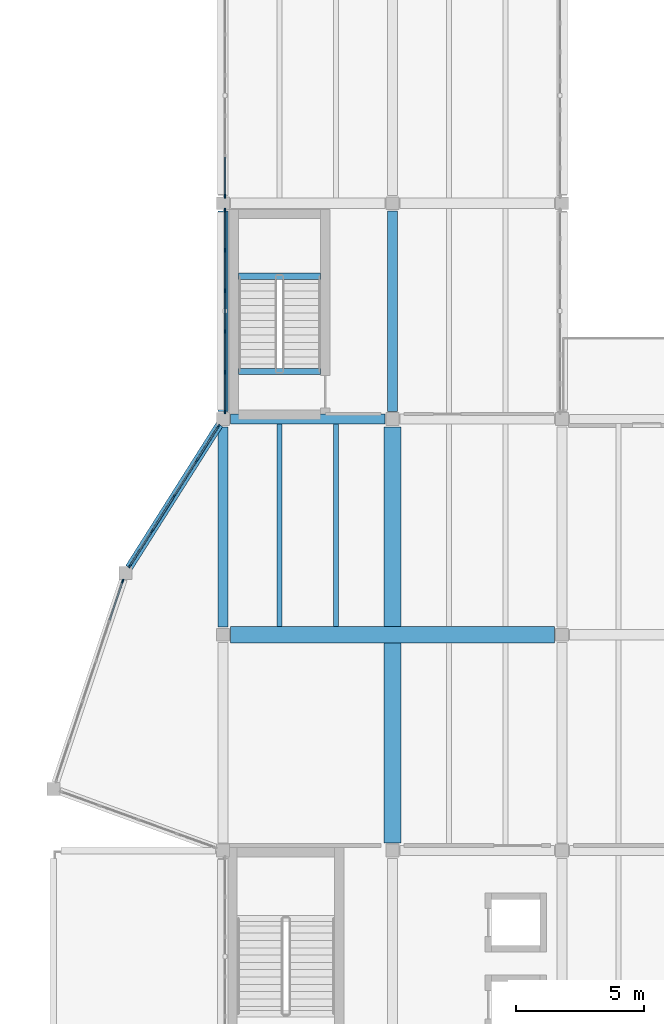
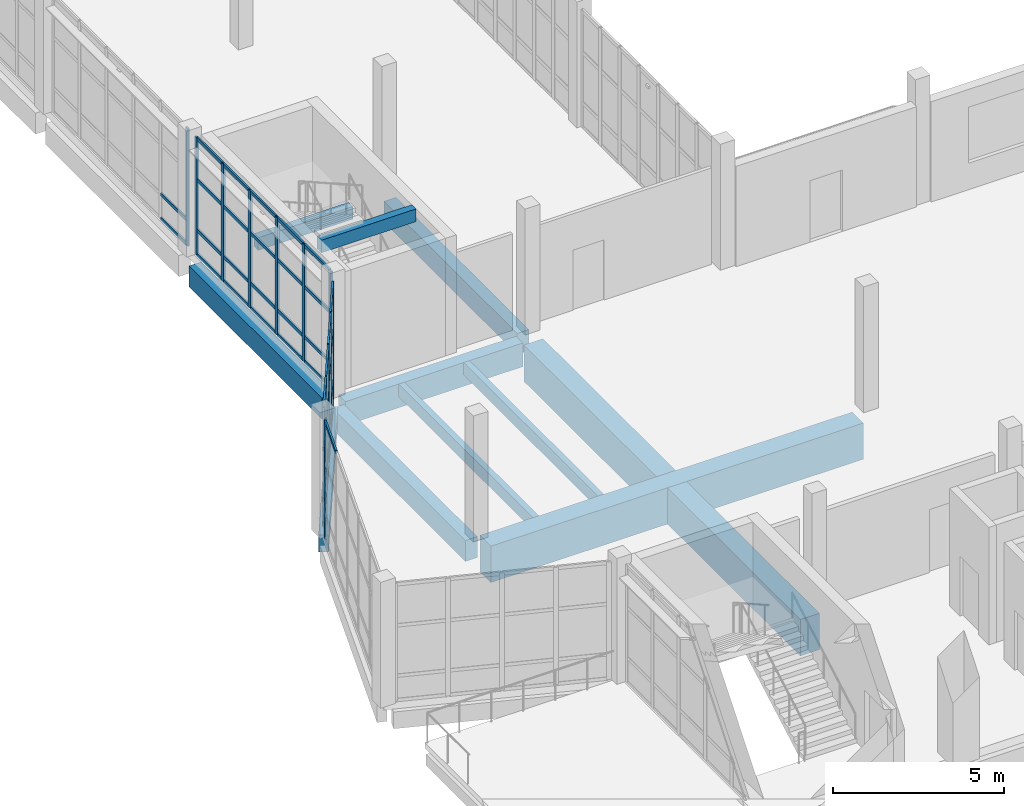
# One storey, part 26 of 83: 52 members, 11 beams, 4 elements without a shape of their own.
"""IFC4 building model written with IfcOpenShell, lengths in metres."""

from ifc_helpers import new_model, si_unit, direction, frame, origin, origin_2d, place, context, subcontext, project, spatial, rectangle, extrude, material, material_profile, profile_set, type_object, element, aggregate, save


model = new_model("IFC4")

# Units and contexts
model_context = context("Model", 3, precision=1e-05, world=origin(), true_north=direction((0.0, 1.0)))
body_context = subcontext(model_context, "Body", "Model", "MODEL_VIEW")
ifc_project = project(units=[si_unit("LENGTHUNIT", "METRE"), si_unit("AREAUNIT", "SQUARE_METRE"), si_unit("VOLUMEUNIT", "CUBIC_METRE"), si_unit("PLANEANGLEUNIT", "RADIAN"), si_unit("MASSUNIT", "GRAM", prefix="KILO")], contexts=[model_context])

# Site, building, storey
site_placement = place(None, origin())
site = spatial("IfcSite", under=ifc_project, at=site_placement, CompositionType="ELEMENT")
building_placement = place(site_placement, origin())
building = spatial("IfcBuilding", under=site, at=building_placement, Name="Qaldarim Faculty of Natural and Applied Sciences", CompositionType="ELEMENT")
storey_placement = place(building_placement, frame((0.0, 0.0, 5.39990234375)))
storey = spatial("IfcBuildingStorey", under=building, at=storey_placement, Name="L01", CompositionType="ELEMENT", Elevation=5.39990234375)

# Beams
ifc_material_1 = material(Name="Concrete C50/60", Category="concrete")
ifc_material_profile_1 = material_profile(ifc_material_1, rectangle(XDim=0.39990234375, YDim=0.75, at=origin_2d()), Name="RC-B400x750")
ifc_profile_set_1 = profile_set([ifc_material_profile_1], Name="Concrete C50/60")
beam_type_1 = type_object("IfcBeamType", Name="LabGirder-RC400x750", PredefinedType="BEAM", material=ifc_profile_set_1)
for number, where, z_axis, x_axis, name in (
    (1, (151.800048828125, 75.89990234375, -0.6748046875), (0.0, 1.0, 0.0), (-1.0, 0.0, 0.0), "Beam RC-B400x750 L00 X24/Y10-Y11"),
    (2, (151.800048828125, 84.300048828125, -0.6748046875), (0.0, 1.0, 0.0), (-1.0, 0.0, 0.0), "Beam RC-B400x750 L00 X24/Y11-Y12"),
    (3, (158.39990234375, 84.300048828125, -0.6748046875), (0.0, 1.0, 0.0), (-1.0, 0.0, 0.0), "Beam RC-B400x750 L00 X25/Y11-Y12"),
):
    element("IfcBeam", number, at=place(storey_placement, frame(where, z_axis=z_axis, x_axis=x_axis)), inside=storey, type_object=beam_type_1, Name=name, PredefinedType="BEAM", context=body_context, shape_type="SweptSolid", body=[
        extrude(rectangle(XDim=0.39990234375, YDim=0.75, at=origin_2d()), origin(), (0.0, 0.0, 1.0), 7.800048828125),
    ])
ifc_material_2 = material(Name="Concrete C40/50", Category="concrete")
ifc_material_profile_2 = material_profile(ifc_material_2, rectangle(XDim=0.199951171875, YDim=0.449951171875, at=origin_2d()), Name="RC-J200x450")
ifc_profile_set_2 = profile_set([ifc_material_profile_2], Name="Concrete C40/50")
beam_type_2 = type_object("IfcBeamType", Name="LabJoist-RC200x450", PredefinedType="JOIST", material=ifc_profile_set_2)
for number, where, z_axis, x_axis, name in (
    (4, (154.0, 75.925048828125, -0.52490234375), (0.0, 1.0, 0.0), (-1.0, 0.0, 0.0), "Laboratory joist L00 bay X24Y10-1"),
    (5, (156.199951171875, 75.925048828125, -0.52490234375), (0.0, 1.0, 0.0), (-1.0, 0.0, 0.0), "Laboratory joist L00 bay X24Y10-2"),
):
    element("IfcBeam", number, at=place(storey_placement, frame(where, z_axis=z_axis, x_axis=x_axis)), inside=storey, type_object=beam_type_2, Name=name, PredefinedType="JOIST", context=body_context, shape_type="SweptSolid", body=[
        extrude(rectangle(XDim=0.199951171875, YDim=0.449951171875, at=origin_2d()), origin(), (0.0, 0.0, 1.0), 7.875),
    ])
ifc_material_profile_3 = material_profile(ifc_material_2, rectangle(XDim=0.25, YDim=0.449951171875, at=origin_2d()), Name="RC-LN250x450")
ifc_profile_set_3 = profile_set([ifc_material_profile_3], Name="Concrete C40/50")
beam_type_3 = type_object("IfcBeamType", Name="LandingSupportBeam-RC250x450", PredefinedType="BEAM", material=ifc_profile_set_3)
for number, where, z_axis, x_axis, name in (
    (6, (152.39990234375, 89.554931640625, 1.815185546875), (1.0, 0.0, 0.0), (0.0, 1.0, 0.0), "Stair landing support beam ST-C2 L01"),
    (7, (152.39990234375, 85.85009765625, 3.97509765625), (1.0, 0.0, 0.0), (0.0, 1.0, 0.0), "Stair arrival support beam ST-C2 L01"),
):
    element("IfcBeam", number, at=place(storey_placement, frame(where, z_axis=z_axis, x_axis=x_axis)), inside=storey, type_object=beam_type_3, Name=name, PredefinedType="BEAM", context=body_context, shape_type="SweptSolid", body=[
        extrude(rectangle(XDim=0.25, YDim=0.449951171875, at=origin_2d()), origin(), (0.0, 0.0, 1.0), 3.2001953125),
    ])

# Curtain wall, members
ifc_material_3 = material(Name="Anodised aluminium AW-6063", Category="aluminium")
curtain_wall_type = type_object("IfcCurtainWallType", Name="CurtainWallSystem-M1600", PredefinedType="USERDEFINED", material=ifc_material_3)
curtain_wall_1_placement = place(storey_placement, origin())
curtain_wall_1 = element("IfcCurtainWall", 8, at=curtain_wall_1_placement, inside=storey, type_object=curtain_wall_type, Name="Curtain wall CW-L01-W-X24Y11", ObjectType="UNITISED FACADE", PredefinedType="USERDEFINED")
ifc_material_profile_4 = material_profile(ifc_material_3, rectangle(XDim=0.06005859375, YDim=0.14990234375, at=origin_2d()), Name="ALU-M60x150")
ifc_profile_set_4 = profile_set([ifc_material_profile_4], Name="Anodised aluminium AW-6063")
member_type_1 = type_object("IfcMemberType", Name="Mullion-ALU60x150", PredefinedType="MULLION", material=ifc_profile_set_4)
member_1_placement = place(storey_placement, frame((151.8798828125, 92.125, 0.0), z_axis=(0.0, 0.0, 1.0), x_axis=(1.0, 0.0, 0.0)))
member_1 = element("IfcMember", 9, at=member_1_placement, type_object=member_type_1, Name="Mullion 1 of CW-L01-W-X24Y11", PredefinedType="MULLION", context=body_context, shape_type="SweptSolid", body=[
    extrude(rectangle(XDim=0.06005859375, YDim=0.14990234375, at=origin_2d()), origin(), (0.0, 0.0, 1.0), 4.2001953125),
])
member_2_placement = place(storey_placement, frame((151.8798828125, 90.572998046875, 0.0), z_axis=(0.0, 0.0, 1.0), x_axis=(1.0, 0.0, 0.0)))
member_2 = element("IfcMember", 10, at=member_2_placement, type_object=member_type_1, Name="Mullion 2 of CW-L01-W-X24Y11", PredefinedType="MULLION", context=body_context, shape_type="SweptSolid", body=[
    extrude(rectangle(XDim=0.06005859375, YDim=0.14990234375, at=origin_2d()), origin(), (0.0, 0.0, 1.0), 4.2001953125),
])
member_3_placement = place(storey_placement, frame((151.8798828125, 88.990966796875, 0.0), z_axis=(0.0, 0.0, 1.0), x_axis=(1.0, 0.0, 0.0)))
member_3 = element("IfcMember", 11, at=member_3_placement, type_object=member_type_1, Name="Mullion 3 of CW-L01-W-X24Y11", PredefinedType="MULLION", context=body_context, shape_type="SweptSolid", body=[
    extrude(rectangle(XDim=0.06005859375, YDim=0.14990234375, at=origin_2d()), origin(), (0.0, 0.0, 1.0), 4.2001953125),
])
member_4_placement = place(storey_placement, frame((151.8798828125, 87.408935546875, 0.0), z_axis=(0.0, 0.0, 1.0), x_axis=(1.0, 0.0, 0.0)))
member_4 = element("IfcMember", 12, at=member_4_placement, type_object=member_type_1, Name="Mullion 4 of CW-L01-W-X24Y11", PredefinedType="MULLION", context=body_context, shape_type="SweptSolid", body=[
    extrude(rectangle(XDim=0.06005859375, YDim=0.14990234375, at=origin_2d()), origin(), (0.0, 0.0, 1.0), 4.2001953125),
])
member_5_placement = place(storey_placement, frame((151.8798828125, 85.826904296875, 0.0), z_axis=(0.0, 0.0, 1.0), x_axis=(1.0, 0.0, 0.0)))
member_5 = element("IfcMember", 13, at=member_5_placement, type_object=member_type_1, Name="Mullion 5 of CW-L01-W-X24Y11", PredefinedType="MULLION", context=body_context, shape_type="SweptSolid", body=[
    extrude(rectangle(XDim=0.06005859375, YDim=0.14990234375, at=origin_2d()), origin(), (0.0, 0.0, 1.0), 4.2001953125),
])
member_6_placement = place(storey_placement, frame((151.8798828125, 84.27490234375, 0.0), z_axis=(0.0, 0.0, 1.0), x_axis=(1.0, 0.0, 0.0)))
member_6 = element("IfcMember", 14, at=member_6_placement, type_object=member_type_1, Name="Mullion 6 of CW-L01-W-X24Y11", PredefinedType="MULLION", context=body_context, shape_type="SweptSolid", body=[
    extrude(rectangle(XDim=0.06005859375, YDim=0.14990234375, at=origin_2d()), origin(), (0.0, 0.0, 1.0), 4.2001953125),
])

# Curtain wall, member
curtain_wall_2_placement = place(storey_placement, origin())
curtain_wall_2 = element("IfcCurtainWall", 15, at=curtain_wall_2_placement, inside=storey, type_object=curtain_wall_type, Name="Curtain wall CW-L01-W-X24Y12", ObjectType="UNITISED FACADE", PredefinedType="USERDEFINED")
member_7_placement = place(storey_placement, frame((151.8798828125, 92.675048828125, 0.0), z_axis=(0.0, 0.0, 1.0), x_axis=(1.0, 0.0, 0.0)))
member_7 = element("IfcMember", 16, at=member_7_placement, type_object=member_type_1, Name="Mullion 6 of CW-L01-W-X24Y12", PredefinedType="MULLION", context=body_context, shape_type="SweptSolid", body=[
    extrude(rectangle(XDim=0.06005859375, YDim=0.14990234375, at=origin_2d()), origin(), (0.0, 0.0, 1.0), 4.2001953125),
])

# Curtain wall, members
curtain_wall_3_placement = place(storey_placement, origin())
curtain_wall_3 = element("IfcCurtainWall", 17, at=curtain_wall_3_placement, inside=storey, type_object=curtain_wall_type, Name="Curtain wall CW-PROW-L01-1", ObjectType="UNITISED FACADE", PredefinedType="USERDEFINED")
member_8_placement = place(storey_placement, frame((151.623779296875, 83.7197265625, 0.0), z_axis=(0.0, 0.0, 1.0), x_axis=(0.844608368004, -0.535384632481, 0.0)))
member_8 = element("IfcMember", 18, at=member_8_placement, type_object=member_type_1, Name="Mullion 1 of CW-PROW-L01-1", PredefinedType="MULLION", context=body_context, shape_type="SweptSolid", body=[
    extrude(rectangle(XDim=0.06005859375, YDim=0.14990234375, at=origin_2d()), origin(), (0.0, 0.0, 1.0), 4.2001953125),
])
member_9_placement = place(storey_placement, frame((150.77001953125, 82.37255859375, 0.0), z_axis=(0.0, 0.0, 1.0), x_axis=(0.844608368004, -0.535384632481, 0.0)))
member_9 = element("IfcMember", 19, at=member_9_placement, type_object=member_type_1, Name="Mullion 2 of CW-PROW-L01-1", PredefinedType="MULLION", context=body_context, shape_type="SweptSolid", body=[
    extrude(rectangle(XDim=0.06005859375, YDim=0.14990234375, at=origin_2d()), origin(), (0.0, 0.0, 1.0), 4.2001953125),
])
member_10_placement = place(storey_placement, frame((149.89990234375, 81.0, 0.0), z_axis=(0.0, 0.0, 1.0), x_axis=(0.844608368004, -0.535384632481, 0.0)))
member_10 = element("IfcMember", 20, at=member_10_placement, type_object=member_type_1, Name="Mullion 3 of CW-PROW-L01-1", PredefinedType="MULLION", context=body_context, shape_type="SweptSolid", body=[
    extrude(rectangle(XDim=0.06005859375, YDim=0.14990234375, at=origin_2d()), origin(), (0.0, 0.0, 1.0), 4.2001953125),
])
member_11_placement = place(storey_placement, frame((149.030029296875, 79.62744140625, 0.0), z_axis=(0.0, 0.0, 1.0), x_axis=(0.844608368004, -0.535384632481, 0.0)))
member_11 = element("IfcMember", 21, at=member_11_placement, type_object=member_type_1, Name="Mullion 4 of CW-PROW-L01-1", PredefinedType="MULLION", context=body_context, shape_type="SweptSolid", body=[
    extrude(rectangle(XDim=0.06005859375, YDim=0.14990234375, at=origin_2d()), origin(), (0.0, 0.0, 1.0), 4.2001953125),
])
member_12_placement = place(storey_placement, frame((148.176025390625, 78.2802734375, 0.0), z_axis=(0.0, 0.0, 1.0), x_axis=(0.844608368004, -0.535384632481, 0.0)))
member_12 = element("IfcMember", 22, at=member_12_placement, type_object=member_type_1, Name="Mullion 5 of CW-PROW-L01-1", PredefinedType="MULLION", context=body_context, shape_type="SweptSolid", body=[
    extrude(rectangle(XDim=0.06005859375, YDim=0.14990234375, at=origin_2d()), origin(), (0.0, 0.0, 1.0), 4.2001953125),
])

# Curtain wall, member
curtain_wall_4_placement = place(storey_placement, origin())
curtain_wall_4 = element("IfcCurtainWall", 23, at=curtain_wall_4_placement, inside=storey, type_object=curtain_wall_type, Name="Curtain wall CW-PROW-L01-2", ObjectType="UNITISED FACADE", PredefinedType="USERDEFINED")
member_13_placement = place(storey_placement, frame((147.8955078125, 77.6865234375, 0.0), z_axis=(0.0, 0.0, 1.0), x_axis=(0.948683015593, -0.316228613389, 0.0)))
member_13 = element("IfcMember", 24, at=member_13_placement, type_object=member_type_1, Name="Mullion 1 of CW-PROW-L01-2", PredefinedType="MULLION", context=body_context, shape_type="SweptSolid", body=[
    extrude(rectangle(XDim=0.06005859375, YDim=0.14990234375, at=origin_2d()), origin(), (0.0, 0.0, 1.0), 4.2001953125),
])

# Beams
ifc_material_profile_5 = material_profile(ifc_material_1, rectangle(XDim=0.39990234375, YDim=0.85009765625, at=origin_2d()), Name="RC-B400x850")
ifc_profile_set_5 = profile_set([ifc_material_profile_5], Name="Concrete C50/60")
beam_type_4 = type_object("IfcBeamType", Name="PodiumGirder-RC400x850", PredefinedType="BEAM", material=ifc_profile_set_5)
beam_1_placement = place(storey_placement, frame((152.10009765625, 84.0, -0.724853515625), z_axis=(1.0, 0.0, 0.0), x_axis=(0.0, 1.0, 0.0)))
element("IfcBeam", 25, at=beam_1_placement, inside=storey, type_object=beam_type_4, Name="Beam RC-B400x850 L00 X24-X25/Y11", PredefinedType="BEAM", context=body_context, shape_type="SweptSolid", body=[
    extrude(rectangle(XDim=0.39990234375, YDim=0.85009765625, at=origin_2d()), origin(), (0.0, 0.0, 1.0), 6.0),
])
ifc_material_4 = material(Name="Precast concrete C40/50", Category="concrete")
ifc_material_profile_6 = material_profile(ifc_material_4, rectangle(XDim=0.300048828125, YDim=0.60009765625, at=origin_2d()), Name="RC-SP300x600")
ifc_profile_set_6 = profile_set([ifc_material_profile_6], Name="Precast concrete C40/50")
beam_type_5 = type_object("IfcBeamType", Name="SpandrelBeam-RC300x600", PredefinedType="SPANDREL", material=ifc_profile_set_6)
beam_2_placement = place(storey_placement, frame((148.139892578125, 78.219970703125, -0.599853515625), z_axis=(0.534905556702, 0.844911856592, 0.0), x_axis=(-0.844911856592, 0.534905556702, 0.0)))
element("IfcBeam", 26, at=beam_2_placement, inside=storey, type_object=beam_type_5, Name="Learning Commons angled prow spandrel L00 3", PredefinedType="SPANDREL", context=body_context, shape_type="SweptSolid", body=[
    extrude(rectangle(XDim=0.300048828125, YDim=0.60009765625, at=origin_2d()), origin(), (0.0, 0.0, 1.0), 6.58056640625),
])
ifc_material_profile_7 = material_profile(ifc_material_1, rectangle(XDim=0.64990234375, YDim=1.300048828125, at=origin_2d()), Name="RC-TG650x1300")
ifc_profile_set_7 = profile_set([ifc_material_profile_7], Name="Concrete C50/60")
beam_type_6 = type_object("IfcBeamType", Name="TransferGirder-RC650x1300", PredefinedType="BEAM", material=ifc_profile_set_7)
beam_3_placement = place(storey_placement, frame((152.10009765625, 75.60009765625, -0.949951171875), z_axis=(1.0, 0.0, 0.0), x_axis=(0.0, 1.0, 0.0)))
element("IfcBeam", 27, at=beam_3_placement, inside=storey, type_object=beam_type_6, Name="Long-span girder L00 Y10 X24-X26", PredefinedType="BEAM", context=body_context, shape_type="SweptSolid", body=[
    extrude(rectangle(XDim=0.64990234375, YDim=1.300048828125, at=origin_2d()), origin(), (0.0, 0.0, 1.0), 12.599853515625),
])
beam_4_placement = place(storey_placement, frame((158.39990234375, 67.5, -0.949951171875), z_axis=(0.0, 1.0, 0.0), x_axis=(-1.0, 0.0, 0.0)))
element("IfcBeam", 28, at=beam_4_placement, inside=storey, type_object=beam_type_6, Name="Long-span girder L00 X25 Y09-Y11", PredefinedType="BEAM", context=body_context, shape_type="SweptSolid", body=[
    extrude(rectangle(XDim=0.64990234375, YDim=1.300048828125, at=origin_2d()), origin(), (0.0, 0.0, 1.0), 16.199951171875),
])

# Member
ifc_material_profile_8 = material_profile(ifc_material_3, rectangle(XDim=0.06005859375, YDim=0.1201171875, at=origin_2d()), Name="ALU-T60x120")
ifc_profile_set_8 = profile_set([ifc_material_profile_8], Name="Anodised aluminium AW-6063")
member_type_2 = type_object("IfcMemberType", Name="Transom-ALU60x120", PredefinedType="USERDEFINED", material=ifc_profile_set_8)
member_14_placement = place(storey_placement, frame((151.8798828125, 92.094970703125, 0.030029296875), z_axis=(0.0, -1.0, 0.0), x_axis=(1.0, 0.0, 0.0)))
member_14 = element("IfcMember", 29, at=member_14_placement, type_object=member_type_2, Name="Transom 1-1 of CW-L01-W-X24Y11", ObjectType="TRANSOM", PredefinedType="USERDEFINED", context=body_context, shape_type="SweptSolid", body=[
    extrude(rectangle(XDim=0.06005859375, YDim=0.1201171875, at=origin_2d()), origin(), (0.0, 0.0, 1.0), 1.491943359375),
])

member_15_placement = place(storey_placement, frame((151.8798828125, 92.094970703125, 0.900146484375), z_axis=(0.0, -1.0, 0.0), x_axis=(1.0, 0.0, 0.0)))
member_15 = element("IfcMember", 30, at=member_15_placement, type_object=member_type_2, Name="Transom 1-2 of CW-L01-W-X24Y11", ObjectType="TRANSOM", PredefinedType="USERDEFINED", context=body_context, shape_type="SweptSolid", body=[
    extrude(rectangle(XDim=0.06005859375, YDim=0.1201171875, at=origin_2d()), origin(), (0.0, 0.0, 1.0), 1.491943359375),
])

member_16_placement = place(storey_placement, frame((151.8798828125, 92.094970703125, 2.7001953125), z_axis=(0.0, -1.0, 0.0), x_axis=(1.0, 0.0, 0.0)))
member_16 = element("IfcMember", 31, at=member_16_placement, type_object=member_type_2, Name="Transom 1-3 of CW-L01-W-X24Y11", ObjectType="TRANSOM", PredefinedType="USERDEFINED", context=body_context, shape_type="SweptSolid", body=[
    extrude(rectangle(XDim=0.06005859375, YDim=0.1201171875, at=origin_2d()), origin(), (0.0, 0.0, 1.0), 1.491943359375),
])

member_17_placement = place(storey_placement, frame((151.8798828125, 92.094970703125, 4.170166015625), z_axis=(0.0, -1.0, 0.0), x_axis=(1.0, 0.0, 0.0)))
member_17 = element("IfcMember", 32, at=member_17_placement, type_object=member_type_2, Name="Transom 1-4 of CW-L01-W-X24Y11", ObjectType="TRANSOM", PredefinedType="USERDEFINED", context=body_context, shape_type="SweptSolid", body=[
    extrude(rectangle(XDim=0.06005859375, YDim=0.1201171875, at=origin_2d()), origin(), (0.0, 0.0, 1.0), 1.491943359375),
])

member_18_placement = place(storey_placement, frame((151.8798828125, 90.54296875, 0.030029296875), z_axis=(0.0, -1.0, 0.0), x_axis=(1.0, 0.0, 0.0)))
member_18 = element("IfcMember", 33, at=member_18_placement, type_object=member_type_2, Name="Transom 2-1 of CW-L01-W-X24Y11", ObjectType="TRANSOM", PredefinedType="USERDEFINED", context=body_context, shape_type="SweptSolid", body=[
    extrude(rectangle(XDim=0.06005859375, YDim=0.1201171875, at=origin_2d()), origin(), (0.0, 0.0, 1.0), 1.52197265625),
])

member_19_placement = place(storey_placement, frame((151.8798828125, 90.54296875, 0.900146484375), z_axis=(0.0, -1.0, 0.0), x_axis=(1.0, 0.0, 0.0)))
member_19 = element("IfcMember", 34, at=member_19_placement, type_object=member_type_2, Name="Transom 2-2 of CW-L01-W-X24Y11", ObjectType="TRANSOM", PredefinedType="USERDEFINED", context=body_context, shape_type="SweptSolid", body=[
    extrude(rectangle(XDim=0.06005859375, YDim=0.1201171875, at=origin_2d()), origin(), (0.0, 0.0, 1.0), 1.52197265625),
])

member_20_placement = place(storey_placement, frame((151.8798828125, 90.54296875, 2.7001953125), z_axis=(0.0, -1.0, 0.0), x_axis=(1.0, 0.0, 0.0)))
member_20 = element("IfcMember", 35, at=member_20_placement, type_object=member_type_2, Name="Transom 2-3 of CW-L01-W-X24Y11", ObjectType="TRANSOM", PredefinedType="USERDEFINED", context=body_context, shape_type="SweptSolid", body=[
    extrude(rectangle(XDim=0.06005859375, YDim=0.1201171875, at=origin_2d()), origin(), (0.0, 0.0, 1.0), 1.52197265625),
])

member_21_placement = place(storey_placement, frame((151.8798828125, 90.54296875, 4.170166015625), z_axis=(0.0, -1.0, 0.0), x_axis=(1.0, 0.0, 0.0)))
member_21 = element("IfcMember", 36, at=member_21_placement, type_object=member_type_2, Name="Transom 2-4 of CW-L01-W-X24Y11", ObjectType="TRANSOM", PredefinedType="USERDEFINED", context=body_context, shape_type="SweptSolid", body=[
    extrude(rectangle(XDim=0.06005859375, YDim=0.1201171875, at=origin_2d()), origin(), (0.0, 0.0, 1.0), 1.52197265625),
])

member_22_placement = place(storey_placement, frame((151.8798828125, 88.9609375, 0.030029296875), z_axis=(0.0, -1.0, 0.0), x_axis=(1.0, 0.0, 0.0)))
member_22 = element("IfcMember", 37, at=member_22_placement, type_object=member_type_2, Name="Transom 3-1 of CW-L01-W-X24Y11", ObjectType="TRANSOM", PredefinedType="USERDEFINED", context=body_context, shape_type="SweptSolid", body=[
    extrude(rectangle(XDim=0.06005859375, YDim=0.1201171875, at=origin_2d()), origin(), (0.0, 0.0, 1.0), 1.52197265625),
])

member_23_placement = place(storey_placement, frame((151.8798828125, 88.9609375, 0.900146484375), z_axis=(0.0, -1.0, 0.0), x_axis=(1.0, 0.0, 0.0)))
member_23 = element("IfcMember", 38, at=member_23_placement, type_object=member_type_2, Name="Transom 3-2 of CW-L01-W-X24Y11", ObjectType="TRANSOM", PredefinedType="USERDEFINED", context=body_context, shape_type="SweptSolid", body=[
    extrude(rectangle(XDim=0.06005859375, YDim=0.1201171875, at=origin_2d()), origin(), (0.0, 0.0, 1.0), 1.52197265625),
])

member_24_placement = place(storey_placement, frame((151.8798828125, 88.9609375, 2.7001953125), z_axis=(0.0, -1.0, 0.0), x_axis=(1.0, 0.0, 0.0)))
member_24 = element("IfcMember", 39, at=member_24_placement, type_object=member_type_2, Name="Transom 3-3 of CW-L01-W-X24Y11", ObjectType="TRANSOM", PredefinedType="USERDEFINED", context=body_context, shape_type="SweptSolid", body=[
    extrude(rectangle(XDim=0.06005859375, YDim=0.1201171875, at=origin_2d()), origin(), (0.0, 0.0, 1.0), 1.52197265625),
])

member_25_placement = place(storey_placement, frame((151.8798828125, 88.9609375, 4.170166015625), z_axis=(0.0, -1.0, 0.0), x_axis=(1.0, 0.0, 0.0)))
member_25 = element("IfcMember", 40, at=member_25_placement, type_object=member_type_2, Name="Transom 3-4 of CW-L01-W-X24Y11", ObjectType="TRANSOM", PredefinedType="USERDEFINED", context=body_context, shape_type="SweptSolid", body=[
    extrude(rectangle(XDim=0.06005859375, YDim=0.1201171875, at=origin_2d()), origin(), (0.0, 0.0, 1.0), 1.52197265625),
])

member_26_placement = place(storey_placement, frame((151.8798828125, 87.37890625, 0.030029296875), z_axis=(0.0, -1.0, 0.0), x_axis=(1.0, 0.0, 0.0)))
member_26 = element("IfcMember", 41, at=member_26_placement, type_object=member_type_2, Name="Transom 4-1 of CW-L01-W-X24Y11", ObjectType="TRANSOM", PredefinedType="USERDEFINED", context=body_context, shape_type="SweptSolid", body=[
    extrude(rectangle(XDim=0.06005859375, YDim=0.1201171875, at=origin_2d()), origin(), (0.0, 0.0, 1.0), 1.52197265625),
])

member_27_placement = place(storey_placement, frame((151.8798828125, 87.37890625, 0.900146484375), z_axis=(0.0, -1.0, 0.0), x_axis=(1.0, 0.0, 0.0)))
member_27 = element("IfcMember", 42, at=member_27_placement, type_object=member_type_2, Name="Transom 4-2 of CW-L01-W-X24Y11", ObjectType="TRANSOM", PredefinedType="USERDEFINED", context=body_context, shape_type="SweptSolid", body=[
    extrude(rectangle(XDim=0.06005859375, YDim=0.1201171875, at=origin_2d()), origin(), (0.0, 0.0, 1.0), 1.52197265625),
])

member_28_placement = place(storey_placement, frame((151.8798828125, 87.37890625, 2.7001953125), z_axis=(0.0, -1.0, 0.0), x_axis=(1.0, 0.0, 0.0)))
member_28 = element("IfcMember", 43, at=member_28_placement, type_object=member_type_2, Name="Transom 4-3 of CW-L01-W-X24Y11", ObjectType="TRANSOM", PredefinedType="USERDEFINED", context=body_context, shape_type="SweptSolid", body=[
    extrude(rectangle(XDim=0.06005859375, YDim=0.1201171875, at=origin_2d()), origin(), (0.0, 0.0, 1.0), 1.52197265625),
])

member_29_placement = place(storey_placement, frame((151.8798828125, 87.37890625, 4.170166015625), z_axis=(0.0, -1.0, 0.0), x_axis=(1.0, 0.0, 0.0)))
member_29 = element("IfcMember", 44, at=member_29_placement, type_object=member_type_2, Name="Transom 4-4 of CW-L01-W-X24Y11", ObjectType="TRANSOM", PredefinedType="USERDEFINED", context=body_context, shape_type="SweptSolid", body=[
    extrude(rectangle(XDim=0.06005859375, YDim=0.1201171875, at=origin_2d()), origin(), (0.0, 0.0, 1.0), 1.52197265625),
])

member_30_placement = place(storey_placement, frame((151.8798828125, 85.797119140625, 0.030029296875), z_axis=(0.0, -1.0, 0.0), x_axis=(1.0, 0.0, 0.0)))
member_30 = element("IfcMember", 45, at=member_30_placement, type_object=member_type_2, Name="Transom 5-1 of CW-L01-W-X24Y11", ObjectType="TRANSOM", PredefinedType="USERDEFINED", context=body_context, shape_type="SweptSolid", body=[
    extrude(rectangle(XDim=0.06005859375, YDim=0.1201171875, at=origin_2d()), origin(), (0.0, 0.0, 1.0), 1.4921875),
])

member_31_placement = place(storey_placement, frame((151.8798828125, 85.797119140625, 0.900146484375), z_axis=(0.0, -1.0, 0.0), x_axis=(1.0, 0.0, 0.0)))
member_31 = element("IfcMember", 46, at=member_31_placement, type_object=member_type_2, Name="Transom 5-2 of CW-L01-W-X24Y11", ObjectType="TRANSOM", PredefinedType="USERDEFINED", context=body_context, shape_type="SweptSolid", body=[
    extrude(rectangle(XDim=0.06005859375, YDim=0.1201171875, at=origin_2d()), origin(), (0.0, 0.0, 1.0), 1.4921875),
])

member_32_placement = place(storey_placement, frame((151.8798828125, 85.797119140625, 2.7001953125), z_axis=(0.0, -1.0, 0.0), x_axis=(1.0, 0.0, 0.0)))
member_32 = element("IfcMember", 47, at=member_32_placement, type_object=member_type_2, Name="Transom 5-3 of CW-L01-W-X24Y11", ObjectType="TRANSOM", PredefinedType="USERDEFINED", context=body_context, shape_type="SweptSolid", body=[
    extrude(rectangle(XDim=0.06005859375, YDim=0.1201171875, at=origin_2d()), origin(), (0.0, 0.0, 1.0), 1.4921875),
])

member_33_placement = place(storey_placement, frame((151.8798828125, 85.797119140625, 4.170166015625), z_axis=(0.0, -1.0, 0.0), x_axis=(1.0, 0.0, 0.0)))
member_33 = element("IfcMember", 48, at=member_33_placement, type_object=member_type_2, Name="Transom 5-4 of CW-L01-W-X24Y11", ObjectType="TRANSOM", PredefinedType="USERDEFINED", context=body_context, shape_type="SweptSolid", body=[
    extrude(rectangle(XDim=0.06005859375, YDim=0.1201171875, at=origin_2d()), origin(), (0.0, 0.0, 1.0), 1.4921875),
])

aggregate(curtain_wall_1, [member_1, member_2, member_3, member_4, member_5, member_6, member_14, member_15, member_16, member_17, member_18, member_19, member_20, member_21, member_22, member_23, member_24, member_25, member_26, member_27, member_28, member_29, member_30, member_31, member_32, member_33])

member_34_placement = place(storey_placement, frame((151.8798828125, 94.197021484375, 0.030029296875), z_axis=(0.0, -1.0, 0.0), x_axis=(1.0, 0.0, 0.0)))
member_34 = element("IfcMember", 49, at=member_34_placement, type_object=member_type_2, Name="Transom 5-1 of CW-L01-W-X24Y12", ObjectType="TRANSOM", PredefinedType="USERDEFINED", context=body_context, shape_type="SweptSolid", body=[
    extrude(rectangle(XDim=0.06005859375, YDim=0.1201171875, at=origin_2d()), origin(), (0.0, 0.0, 1.0), 1.491943359375),
])

member_35_placement = place(storey_placement, frame((151.8798828125, 94.197021484375, 0.900146484375), z_axis=(0.0, -1.0, 0.0), x_axis=(1.0, 0.0, 0.0)))
member_35 = element("IfcMember", 50, at=member_35_placement, type_object=member_type_2, Name="Transom 5-2 of CW-L01-W-X24Y12", ObjectType="TRANSOM", PredefinedType="USERDEFINED", context=body_context, shape_type="SweptSolid", body=[
    extrude(rectangle(XDim=0.06005859375, YDim=0.1201171875, at=origin_2d()), origin(), (0.0, 0.0, 1.0), 1.491943359375),
])

aggregate(curtain_wall_2, [member_7, member_34, member_35])

member_36_placement = place(storey_placement, frame((151.60791015625, 83.6943359375, 0.030029296875), z_axis=(-0.535320690272, -0.844648896623, 0.0), x_axis=(0.844648896623, -0.535320690272, 0.0)))
member_36 = element("IfcMember", 51, at=member_36_placement, type_object=member_type_2, Name="Transom 1-1 of CW-PROW-L01-1", ObjectType="TRANSOM", PredefinedType="USERDEFINED", context=body_context, shape_type="SweptSolid", body=[
    extrude(rectangle(XDim=0.06005859375, YDim=0.1201171875, at=origin_2d()), origin(), (0.0, 0.0, 1.0), 1.53515625),
])

member_37_placement = place(storey_placement, frame((151.60791015625, 83.6943359375, 0.900146484375), z_axis=(-0.535320690272, -0.844648896623, 0.0), x_axis=(0.844648896623, -0.535320690272, 0.0)))
member_37 = element("IfcMember", 52, at=member_37_placement, type_object=member_type_2, Name="Transom 1-2 of CW-PROW-L01-1", ObjectType="TRANSOM", PredefinedType="USERDEFINED", context=body_context, shape_type="SweptSolid", body=[
    extrude(rectangle(XDim=0.06005859375, YDim=0.1201171875, at=origin_2d()), origin(), (0.0, 0.0, 1.0), 1.53515625),
])

member_38_placement = place(storey_placement, frame((151.60791015625, 83.6943359375, 2.7001953125), z_axis=(-0.535320690272, -0.844648896623, 0.0), x_axis=(0.844648896623, -0.535320690272, 0.0)))
member_38 = element("IfcMember", 53, at=member_38_placement, type_object=member_type_2, Name="Transom 1-3 of CW-PROW-L01-1", ObjectType="TRANSOM", PredefinedType="USERDEFINED", context=body_context, shape_type="SweptSolid", body=[
    extrude(rectangle(XDim=0.06005859375, YDim=0.1201171875, at=origin_2d()), origin(), (0.0, 0.0, 1.0), 1.53515625),
])

member_39_placement = place(storey_placement, frame((151.60791015625, 83.6943359375, 4.170166015625), z_axis=(-0.535320690272, -0.844648896623, 0.0), x_axis=(0.844648896623, -0.535320690272, 0.0)))
member_39 = element("IfcMember", 54, at=member_39_placement, type_object=member_type_2, Name="Transom 1-4 of CW-PROW-L01-1", ObjectType="TRANSOM", PredefinedType="USERDEFINED", context=body_context, shape_type="SweptSolid", body=[
    extrude(rectangle(XDim=0.06005859375, YDim=0.1201171875, at=origin_2d()), origin(), (0.0, 0.0, 1.0), 1.53515625),
])

member_40_placement = place(storey_placement, frame((150.75390625, 82.34716796875, 0.030029296875), z_axis=(-0.535400907346, -0.844598051391, 0.0), x_axis=(0.844598051391, -0.535400907346, 0.0)))
member_40 = element("IfcMember", 55, at=member_40_placement, type_object=member_type_2, Name="Transom 2-1 of CW-PROW-L01-1", ObjectType="TRANSOM", PredefinedType="USERDEFINED", context=body_context, shape_type="SweptSolid", body=[
    extrude(rectangle(XDim=0.06005859375, YDim=0.1201171875, at=origin_2d()), origin(), (0.0, 0.0, 1.0), 1.56494140625),
])

member_41_placement = place(storey_placement, frame((150.75390625, 82.34716796875, 0.900146484375), z_axis=(-0.535400907346, -0.844598051391, 0.0), x_axis=(0.844598051391, -0.535400907346, 0.0)))
member_41 = element("IfcMember", 56, at=member_41_placement, type_object=member_type_2, Name="Transom 2-2 of CW-PROW-L01-1", ObjectType="TRANSOM", PredefinedType="USERDEFINED", context=body_context, shape_type="SweptSolid", body=[
    extrude(rectangle(XDim=0.06005859375, YDim=0.1201171875, at=origin_2d()), origin(), (0.0, 0.0, 1.0), 1.56494140625),
])

member_42_placement = place(storey_placement, frame((150.75390625, 82.34716796875, 2.7001953125), z_axis=(-0.535400907346, -0.844598051391, 0.0), x_axis=(0.844598051391, -0.535400907346, 0.0)))
member_42 = element("IfcMember", 57, at=member_42_placement, type_object=member_type_2, Name="Transom 2-3 of CW-PROW-L01-1", ObjectType="TRANSOM", PredefinedType="USERDEFINED", context=body_context, shape_type="SweptSolid", body=[
    extrude(rectangle(XDim=0.06005859375, YDim=0.1201171875, at=origin_2d()), origin(), (0.0, 0.0, 1.0), 1.56494140625),
])

member_43_placement = place(storey_placement, frame((150.75390625, 82.34716796875, 4.170166015625), z_axis=(-0.535400907346, -0.844598051391, 0.0), x_axis=(0.844598051391, -0.535400907346, 0.0)))
member_43 = element("IfcMember", 58, at=member_43_placement, type_object=member_type_2, Name="Transom 2-4 of CW-PROW-L01-1", ObjectType="TRANSOM", PredefinedType="USERDEFINED", context=body_context, shape_type="SweptSolid", body=[
    extrude(rectangle(XDim=0.06005859375, YDim=0.1201171875, at=origin_2d()), origin(), (0.0, 0.0, 1.0), 1.56494140625),
])

member_44_placement = place(storey_placement, frame((149.8837890625, 80.974609375, 0.030029296875), z_axis=(-0.535289609596, -0.8446685941, 0.0), x_axis=(0.8446685941, -0.535289609596, 0.0)))
member_44 = element("IfcMember", 59, at=member_44_placement, type_object=member_type_2, Name="Transom 3-1 of CW-PROW-L01-1", ObjectType="TRANSOM", PredefinedType="USERDEFINED", context=body_context, shape_type="SweptSolid", body=[
    extrude(rectangle(XDim=0.06005859375, YDim=0.1201171875, at=origin_2d()), origin(), (0.0, 0.0, 1.0), 1.56494140625),
])

member_45_placement = place(storey_placement, frame((149.8837890625, 80.974609375, 0.900146484375), z_axis=(-0.535289609596, -0.8446685941, 0.0), x_axis=(0.8446685941, -0.535289609596, 0.0)))
member_45 = element("IfcMember", 60, at=member_45_placement, type_object=member_type_2, Name="Transom 3-2 of CW-PROW-L01-1", ObjectType="TRANSOM", PredefinedType="USERDEFINED", context=body_context, shape_type="SweptSolid", body=[
    extrude(rectangle(XDim=0.06005859375, YDim=0.1201171875, at=origin_2d()), origin(), (0.0, 0.0, 1.0), 1.56494140625),
])

member_46_placement = place(storey_placement, frame((149.8837890625, 80.974609375, 2.7001953125), z_axis=(-0.535289609596, -0.8446685941, 0.0), x_axis=(0.8446685941, -0.535289609596, 0.0)))
member_46 = element("IfcMember", 61, at=member_46_placement, type_object=member_type_2, Name="Transom 3-3 of CW-PROW-L01-1", ObjectType="TRANSOM", PredefinedType="USERDEFINED", context=body_context, shape_type="SweptSolid", body=[
    extrude(rectangle(XDim=0.06005859375, YDim=0.1201171875, at=origin_2d()), origin(), (0.0, 0.0, 1.0), 1.56494140625),
])

member_47_placement = place(storey_placement, frame((149.8837890625, 80.974609375, 4.170166015625), z_axis=(-0.535289609596, -0.8446685941, 0.0), x_axis=(0.8446685941, -0.535289609596, 0.0)))
member_47 = element("IfcMember", 62, at=member_47_placement, type_object=member_type_2, Name="Transom 3-4 of CW-PROW-L01-1", ObjectType="TRANSOM", PredefinedType="USERDEFINED", context=body_context, shape_type="SweptSolid", body=[
    extrude(rectangle(XDim=0.06005859375, YDim=0.1201171875, at=origin_2d()), origin(), (0.0, 0.0, 1.0), 1.56494140625),
])

member_48_placement = place(storey_placement, frame((149.013916015625, 79.602294921875, 0.030029296875), z_axis=(-0.535320690272, -0.844648896623, 0.0), x_axis=(0.844648896623, -0.535320690272, 0.0)))
member_48 = element("IfcMember", 63, at=member_48_placement, type_object=member_type_2, Name="Transom 4-1 of CW-PROW-L01-1", ObjectType="TRANSOM", PredefinedType="USERDEFINED", context=body_context, shape_type="SweptSolid", body=[
    extrude(rectangle(XDim=0.06005859375, YDim=0.1201171875, at=origin_2d()), origin(), (0.0, 0.0, 1.0), 1.53515625),
])

member_49_placement = place(storey_placement, frame((149.013916015625, 79.602294921875, 0.900146484375), z_axis=(-0.535320690272, -0.844648896623, 0.0), x_axis=(0.844648896623, -0.535320690272, 0.0)))
member_49 = element("IfcMember", 64, at=member_49_placement, type_object=member_type_2, Name="Transom 4-2 of CW-PROW-L01-1", ObjectType="TRANSOM", PredefinedType="USERDEFINED", context=body_context, shape_type="SweptSolid", body=[
    extrude(rectangle(XDim=0.06005859375, YDim=0.1201171875, at=origin_2d()), origin(), (0.0, 0.0, 1.0), 1.53515625),
])

member_50_placement = place(storey_placement, frame((149.013916015625, 79.602294921875, 2.7001953125), z_axis=(-0.535320690272, -0.844648896623, 0.0), x_axis=(0.844648896623, -0.535320690272, 0.0)))
member_50 = element("IfcMember", 65, at=member_50_placement, type_object=member_type_2, Name="Transom 4-3 of CW-PROW-L01-1", ObjectType="TRANSOM", PredefinedType="USERDEFINED", context=body_context, shape_type="SweptSolid", body=[
    extrude(rectangle(XDim=0.06005859375, YDim=0.1201171875, at=origin_2d()), origin(), (0.0, 0.0, 1.0), 1.53515625),
])

member_51_placement = place(storey_placement, frame((149.013916015625, 79.602294921875, 4.170166015625), z_axis=(-0.535320690272, -0.844648896623, 0.0), x_axis=(0.844648896623, -0.535320690272, 0.0)))
member_51 = element("IfcMember", 66, at=member_51_placement, type_object=member_type_2, Name="Transom 4-4 of CW-PROW-L01-1", ObjectType="TRANSOM", PredefinedType="USERDEFINED", context=body_context, shape_type="SweptSolid", body=[
    extrude(rectangle(XDim=0.06005859375, YDim=0.1201171875, at=origin_2d()), origin(), (0.0, 0.0, 1.0), 1.53515625),
])

aggregate(curtain_wall_3, [member_8, member_9, member_10, member_11, member_12, member_36, member_37, member_38, member_39, member_40, member_41, member_42, member_43, member_44, member_45, member_46, member_47, member_48, member_49, member_50, member_51])

member_52_placement = place(storey_placement, frame((147.885986328125, 77.658203125, 4.170166015625), z_axis=(-0.316133909771, -0.948714578307, 0.0), x_axis=(0.948714578307, -0.316133909771, 0.0)))
member_52 = element("IfcMember", 67, at=member_52_placement, type_object=member_type_2, Name="Transom 1-4 of CW-PROW-L01-2", ObjectType="TRANSOM", PredefinedType="USERDEFINED", context=body_context, shape_type="SweptSolid", body=[
    extrude(rectangle(XDim=0.06005859375, YDim=0.1201171875, at=origin_2d()), origin(), (0.0, 0.0, 1.0), 1.560791015625),
])

aggregate(curtain_wall_4, [member_13, member_52])

save(model, "model.ifc")
